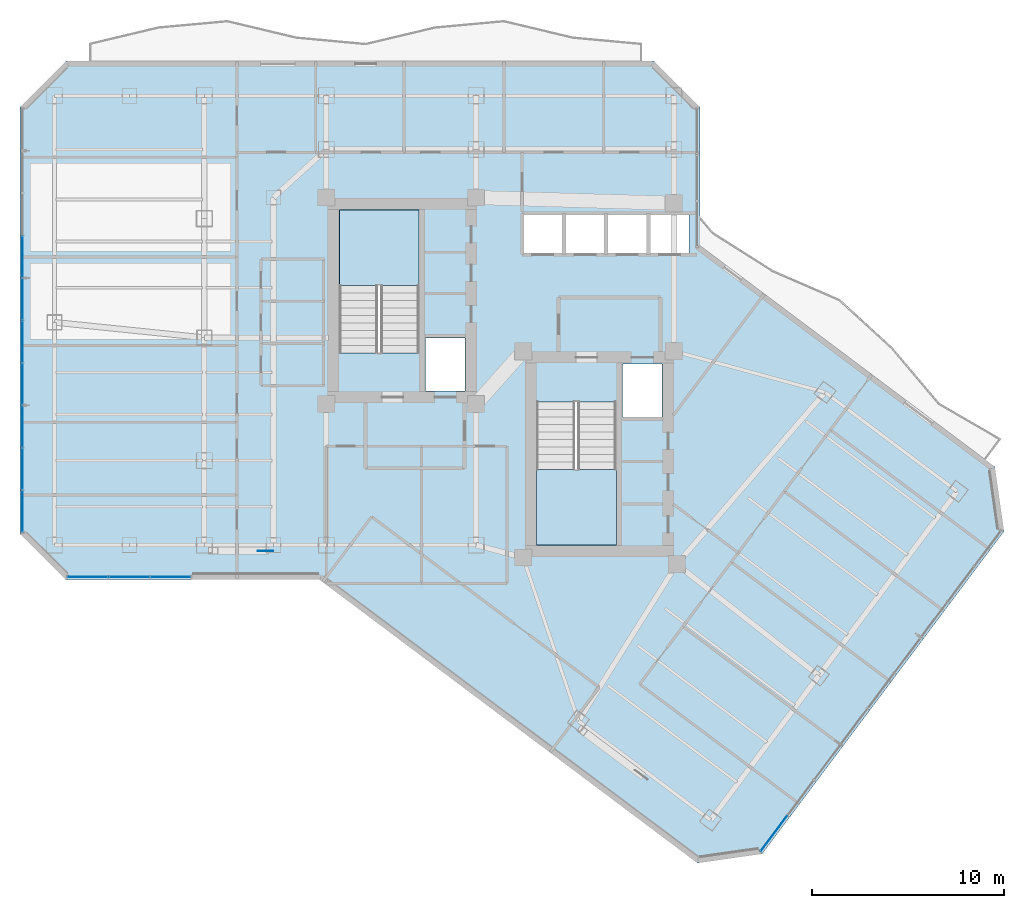
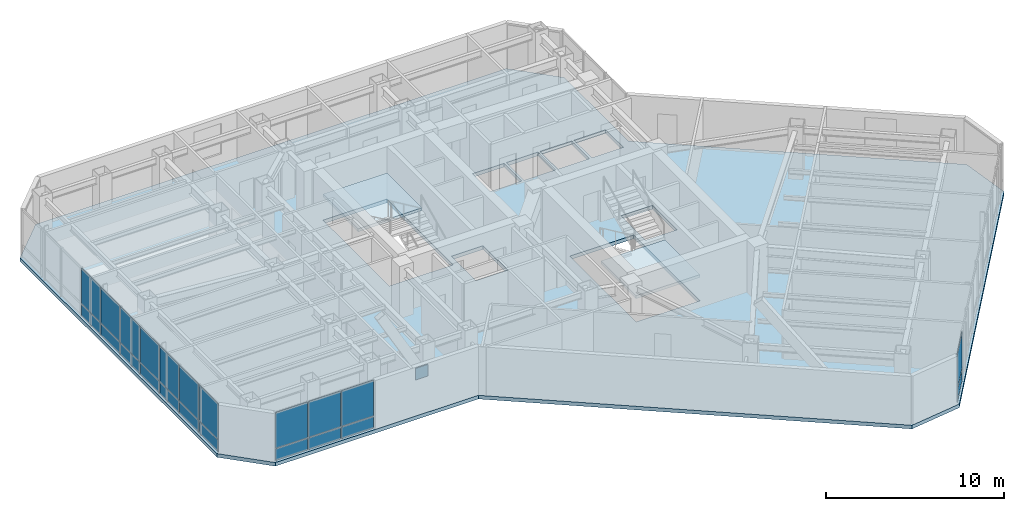
# One storey, part 20 of 29: 23 plates, 3 slabs, 5 elements without a shape of their own.
"""IFC4 building model written with IfcOpenShell, lengths in metres."""

import ifcopenshell
import ifcopenshell.guid

model = None  # the IFC model being written
_history = None  # IfcOwnerHistory: only IFC2X3 demands one
_inside = {}  # id of a spatial element -> (the spatial element, [elements in it])
_under = {}  # id of a project, library or spatial element -> (it, [spatial elements below it])
_declared = {}  # id of a project -> (the project, [libraries it declares])
_typed = {}  # id of a type object -> (the type object, [elements of that type])
_made_of = {}  # id of a material, layer set ... -> (it, [elements and type objects made of it])


def new_model(schema):
    """Start an empty IFC model of exactly this schema.

    Asked for "IFC4X3", IfcOpenShell would pick the latest addendum, in which some entities
    have other attributes; the version numbers below select the first issue.
    IFC2X3 requires an IfcOwnerHistory on every rooted entity: one is made here for all.
    """
    global model, _history
    if schema == "IFC4X3":
        model = ifcopenshell.file(schema_version=(4, 3, 0, 0))
    else:
        model = ifcopenshell.file(schema=schema)
    _inside.clear()
    _under.clear()
    _declared.clear()
    _typed.clear()
    _made_of.clear()
    _history = None
    if model.schema == "IFC2X3":
        org = make("IfcOrganization", Name="unknown")
        user = make(
            "IfcPersonAndOrganization",
            ThePerson=make("IfcPerson", FamilyName="unknown"),
            TheOrganization=org,
        )
        app = make(
            "IfcApplication",
            ApplicationDeveloper=org,
            Version="unknown",
            ApplicationFullName="unknown",
            ApplicationIdentifier="unknown",
        )
        _history = make(
            "IfcOwnerHistory",
            OwningUser=user,
            OwningApplication=app,
            ChangeAction="ADDED",
            CreationDate=0,
        )
    return model


def make(cls, **values):
    """One entity of the class cls with the attributes given. An attribute that is None is left unset."""
    return model.create_entity(
        cls, **{name: value for name, value in values.items() if value is not None}
    )


def rooted(cls, **values):
    """An entity with a GlobalId (a new one), such as an element, a storey or a relation."""
    return make(cls, GlobalId=ifcopenshell.guid.new(), OwnerHistory=_history, **values)


def si_unit(unit_type, name, prefix=None):
    """IfcSIUnit, for example si_unit("LENGTHUNIT", "METRE", prefix="MILLI")."""
    return make("IfcSIUnit", UnitType=unit_type, Prefix=prefix, Name=name)


def assignment(units):
    """IfcUnitAssignment: the units of a project."""
    return None if units is None else make("IfcUnitAssignment", Units=units)


def point(xyz):
    """IfcCartesianPoint."""
    return None if xyz is None else make("IfcCartesianPoint", Coordinates=xyz)


def direction(xyz):
    """IfcDirection."""
    return None if xyz is None else make("IfcDirection", DirectionRatios=xyz)


def frame(location, z_axis=None, x_axis=None):
    """IfcAxis2Placement3D, a coordinate frame: its origin and axes. An axis left out is left unset."""
    return make(
        "IfcAxis2Placement3D",
        Location=point(location),
        Axis=direction(z_axis),
        RefDirection=direction(x_axis),
    )


def frame_2d(location, x_axis=None):
    """IfcAxis2Placement2D, a coordinate frame in the plane: its origin and x axis."""
    return make(
        "IfcAxis2Placement2D", Location=point(location), RefDirection=direction(x_axis)
    )


def origin():
    """The frame at (0, 0, 0) with its axes left unset."""
    return frame((0.0, 0.0, 0.0))


def origin_2d():
    """The frame at (0, 0) in the plane with its x axis left unset."""
    return frame_2d((0.0, 0.0))


def place(relative_to, where):
    """IfcLocalPlacement: puts the frame where relative to a parent placement (None: the world)."""
    return make(
        "IfcLocalPlacement", PlacementRelTo=relative_to, RelativePlacement=where
    )


def context(
    kind, dimensions, precision=None, world=None, true_north=None, identifier=None
):
    """IfcGeometricRepresentationContext, for example the 3D "Model" context."""
    return make(
        "IfcGeometricRepresentationContext",
        ContextIdentifier=identifier,
        ContextType=kind,
        CoordinateSpaceDimension=dimensions,
        Precision=precision,
        WorldCoordinateSystem=world,
        TrueNorth=true_north,
    )


def subcontext(parent, identifier, kind, view, scale=None):
    """IfcGeometricRepresentationSubContext, for example "Body" below "Model"."""
    return make(
        "IfcGeometricRepresentationSubContext",
        ContextIdentifier=identifier,
        ContextType=kind,
        ParentContext=parent,
        TargetScale=scale,
        TargetView=view,
    )


def project(units=None, contexts=None):
    """IfcProject with its units and contexts."""
    return rooted(
        "IfcProject",
        Name="project",
        RepresentationContexts=contexts,
        UnitsInContext=assignment(units),
    )


def spatial(cls, under=None, at=None, **own):
    """A site, building, storey or space (cls), placed at a placement, below another one or the project."""
    s = rooted(cls, ObjectPlacement=at, **own)
    if under is not None:
        _under.setdefault(under.id(), (under, []))[1].append(s)
    return s


def polyline(points):
    """IfcPolyline through the points."""
    return make("IfcPolyline", Points=[point(p) for p in points])


def profile(cls, at=None, kind="AREA", **sizes):
    """A parametric profile (cls). Its sizes go by their IFC names, for example OverallWidth=200.0."""
    return make(cls, ProfileType=kind, Position=at, **sizes)


def rectangle(**sizes):
    """IfcRectangleProfileDef."""
    return profile("IfcRectangleProfileDef", **sizes)


def outline(outer, holes=None, kind="AREA"):
    """IfcArbitraryClosedProfileDef: a profile drawn as a closed curve; with holes, ...WithVoids."""
    if holes is None:
        return make("IfcArbitraryClosedProfileDef", ProfileType=kind, OuterCurve=outer)
    return make(
        "IfcArbitraryProfileDefWithVoids",
        ProfileType=kind,
        OuterCurve=outer,
        InnerCurves=holes,
    )


def extrude(swept, where, along, depth):
    """IfcExtrudedAreaSolid: the profile swept, set in the frame where, extruded along a direction by depth."""
    return make(
        "IfcExtrudedAreaSolid",
        SweptArea=swept,
        Position=where,
        ExtrudedDirection=direction(along),
        Depth=depth,
    )


def shape(context_of_items, identifier, shape_type, items):
    """IfcShapeRepresentation: the items that make up one representation, for example the "Body"."""
    return make(
        "IfcShapeRepresentation",
        ContextOfItems=context_of_items,
        RepresentationIdentifier=identifier,
        RepresentationType=shape_type,
        Items=items,
    )


def material(Name=None, Category=None):
    """IfcMaterial."""
    return make("IfcMaterial", Name=Name, Category=Category)


def layer(
    of_material, thickness, ventilated=None, Name=None, Category=None, Priority=None
):
    """IfcMaterialLayer: one layer of a wall or slab, of a material (None: an air gap)."""
    return make(
        "IfcMaterialLayer",
        Material=of_material,
        LayerThickness=thickness,
        IsVentilated=ventilated,
        Name=Name,
        Category=Category,
        Priority=Priority,
    )


def layer_set(layers, Name=None):
    """IfcMaterialLayerSet."""
    return make("IfcMaterialLayerSet", MaterialLayers=layers, LayerSetName=Name)


def made_of(thing, what):
    """Note that an element or type object is made of a material, layer set ...; save() writes the relation."""
    if what is not None:
        _made_of.setdefault(what.id(), (what, []))[1].append(thing)
    return thing


def type_object(cls, material=None, **own):
    """A type object (cls), such as IfcWallType, which elements share."""
    return made_of(rooted(cls, **own), material)


def element(
    cls,
    number,
    at=None,
    inside=None,
    cuts=None,
    type_object=None,
    material=None,
    context=None,
    identifier="Body",
    shape_type=None,
    held_by="IfcProductDefinitionShape",
    body=None,
    shapes=None,
    **own,
):
    """One element of the class cls, such as IfcWall. Its Tag is "e" and its number.

    at: its placement. inside: the storey or other place that contains it. cuts: it is an
    opening in that element (IfcRelVoidsElement). A single representation is given by context,
    identifier, shape_type and body (its items); several are given by shapes. held_by: the class
    of the entity that holds the representations. save() writes the other relations.
    """
    e = rooted(cls, Tag="e%d" % number, ObjectPlacement=at, **own)
    if body is not None:
        shapes = [shape(context, identifier, shape_type, body)]
    if shapes is not None:
        e.Representation = make(held_by, Representations=shapes)
    if inside is not None:
        _inside.setdefault(inside.id(), (inside, []))[1].append(e)
    if cuts is not None:
        rooted(
            "IfcRelVoidsElement", RelatingBuildingElement=cuts, RelatedOpeningElement=e
        )
    if type_object is not None:
        _typed.setdefault(type_object.id(), (type_object, []))[1].append(e)
    return made_of(e, material)


def aggregate(whole, parts):
    """IfcRelAggregates: a whole, such as a stair, and the parts it consists of."""
    return rooted("IfcRelAggregates", RelatingObject=whole, RelatedObjects=parts)


def save(model, path):
    """Write the relations noted so far, then the file.

    IfcRelAggregates (storeys below a building ...), IfcRelContainedInSpatialStructure (elements
    in a storey), IfcRelDefinesByType, IfcRelAssociatesMaterial and IfcRelDeclares: one each for
    every whole, place, type object, material and project.
    """
    for whole, parts in _under.values():
        aggregate(whole, parts)
    for where, things in _inside.values():
        rooted(
            "IfcRelContainedInSpatialStructure",
            RelatedElements=things,
            RelatingStructure=where,
        )
    for kind, things in _typed.values():
        rooted("IfcRelDefinesByType", RelatedObjects=things, RelatingType=kind)
    for what, things in _made_of.values():
        rooted("IfcRelAssociatesMaterial", RelatedObjects=things, RelatingMaterial=what)
    for by, libraries in _declared.values():
        rooted("IfcRelDeclares", RelatingContext=by, RelatedDefinitions=libraries)
    model.write(path)


model = new_model("IFC4")

# Units and contexts
model_context = context("Model", 3, precision=1e-05, world=origin(), true_north=direction((0.0, 1.0)))
body_context = subcontext(model_context, "Body", "Model", "MODEL_VIEW")
ifc_project = project(units=[si_unit("LENGTHUNIT", "METRE"), si_unit("AREAUNIT", "SQUARE_METRE"), si_unit("VOLUMEUNIT", "CUBIC_METRE"), si_unit("PLANEANGLEUNIT", "RADIAN"), si_unit("MASSUNIT", "GRAM", prefix="KILO")], contexts=[model_context])

# Site, building, storey
site_placement = place(None, origin())
site = spatial("IfcSite", under=ifc_project, at=site_placement, CompositionType="ELEMENT")
building_placement = place(site_placement, origin())
building = spatial("IfcBuilding", under=site, at=building_placement, Name="Hatsunagi Terrace Concourse", CompositionType="ELEMENT")
storey_placement = place(building_placement, frame((0.0, 0.0, 149.25)))
storey = spatial("IfcBuildingStorey", under=building, at=storey_placement, Name="L39", CompositionType="ELEMENT", Elevation=149.25)

# Curtain wall, plate
ifc_material_1 = material(Name="Anodised Aluminium Alloy 6063-T5", Category="aluminium")
ifc_layer_1 = layer(ifc_material_1, 0.199951171875)
ifc_layer_set_1 = layer_set([ifc_layer_1], Name="OfficeZone1_CW03")
curtain_wall_type = type_object("IfcCurtainWallType", Name="OfficeZone1_CW03", PredefinedType="NOTDEFINED", material=ifc_layer_set_1)
curtain_wall_1_placement = place(storey_placement, origin())
curtain_wall_1 = element("IfcCurtainWall", 1, at=curtain_wall_1_placement, inside=storey, type_object=curtain_wall_type, Name="Unitised Curtain Wall CW-03 CW-L39-03", PredefinedType="NOTDEFINED")
ifc_material_2 = material(Name="Warm Terracotta Ceramic Spandrel Panel", Category="masonry")
ifc_layer_2 = layer(ifc_material_2, 0.031982421875)
ifc_layer_set_2 = layer_set([ifc_layer_2], Name="CurtainWallSpandrelPanel_32")
plate_type_1 = type_object("IfcPlateType", Name="CurtainWallSpandrelPanel_32", PredefinedType="SHEET", material=ifc_layer_set_2)
plate_1_placement = place(storey_placement, frame((48.85888671875, 10.177978515625, 0.030029296875), z_axis=(0.0, 0.0, 1.0), x_axis=(-0.599969314634, -0.800023013105, 0.0)))
plate_1 = element("IfcPlate", 2, at=plate_1_placement, type_object=plate_type_1, Name="Terracotta Spandrel Panel SPN-01", PredefinedType="SHEET", context=body_context, shape_type="SweptSolid", body=[
    extrude(rectangle(XDim=2.264892578125, YDim=0.031982421875, at=origin_2d()), origin(), (0.0, 0.0, 1.0), 0.7900390625),
])

# Curtain wall, plates
curtain_wall_2_placement = place(storey_placement, origin())
curtain_wall_2 = element("IfcCurtainWall", 3, at=curtain_wall_2_placement, inside=storey, type_object=curtain_wall_type, Name="Unitised Curtain Wall CW-03 CW-L39-07", PredefinedType="NOTDEFINED")
plate_2_placement = place(storey_placement, frame((17.426025390625, 23.5400390625, 0.030029296875), z_axis=(0.0, 0.0, 1.0), x_axis=(-1.0, 0.0, 0.0)))
plate_2 = element("IfcPlate", 4, at=plate_2_placement, type_object=plate_type_1, Name="Terracotta Spandrel Panel SPN-01", PredefinedType="SHEET", context=body_context, shape_type="SweptSolid", body=[
    extrude(rectangle(XDim=2.092041015625, YDim=0.031982421875, at=origin_2d()), origin(), (0.0, 0.0, 1.0), 0.7900390625),
])
plate_3_placement = place(storey_placement, frame((15.279052734375, 23.5400390625, 0.030029296875), z_axis=(0.0, 0.0, 1.0), x_axis=(-1.0, 0.0, 0.0)))
plate_3 = element("IfcPlate", 5, at=plate_3_placement, type_object=plate_type_1, Name="Terracotta Spandrel Panel SPN-01", PredefinedType="SHEET", context=body_context, shape_type="SweptSolid", body=[
    extrude(rectangle(XDim=2.092041015625, YDim=0.031982421875, at=origin_2d()), origin(), (0.0, 0.0, 1.0), 0.7900390625),
])
plate_4_placement = place(storey_placement, frame((13.132080078125, 23.5400390625, 0.030029296875), z_axis=(0.0, 0.0, 1.0), x_axis=(-1.0, 0.0, 0.0)))
plate_4 = element("IfcPlate", 6, at=plate_4_placement, type_object=plate_type_1, Name="Terracotta Spandrel Panel SPN-01", PredefinedType="SHEET", context=body_context, shape_type="SweptSolid", body=[
    extrude(rectangle(XDim=2.092041015625, YDim=0.031982421875, at=origin_2d()), origin(), (0.0, 0.0, 1.0), 0.7900390625),
])

curtain_wall_3_placement = place(storey_placement, origin())
curtain_wall_3 = element("IfcCurtainWall", 7, at=curtain_wall_3_placement, inside=storey, type_object=curtain_wall_type, Name="Unitised Curtain Wall CW-03 CW-L39-09", PredefinedType="NOTDEFINED")
plate_5_placement = place(storey_placement, frame((9.739990234375, 26.9619140625, 0.030029296875), z_axis=(0.0, 0.0, 1.0), x_axis=(0.0, 1.0, 0.0)))
plate_5 = element("IfcPlate", 8, at=plate_5_placement, type_object=plate_type_1, Name="Terracotta Spandrel Panel SPN-01", PredefinedType="SHEET", context=body_context, shape_type="SweptSolid", body=[
    extrude(rectangle(XDim=2.153076171875, YDim=0.031982421875, at=origin_2d()), origin(), (0.0, 0.0, 1.0), 0.7900390625),
])
plate_6_placement = place(storey_placement, frame((9.739990234375, 29.1708984375, 0.030029296875), z_axis=(0.0, 0.0, 1.0), x_axis=(0.0, 1.0, 0.0)))
plate_6 = element("IfcPlate", 9, at=plate_6_placement, type_object=plate_type_1, Name="Terracotta Spandrel Panel SPN-01", PredefinedType="SHEET", context=body_context, shape_type="SweptSolid", body=[
    extrude(rectangle(XDim=2.153076171875, YDim=0.031982421875, at=origin_2d()), origin(), (0.0, 0.0, 1.0), 0.7900390625),
])
plate_7_placement = place(storey_placement, frame((9.739990234375, 31.37890625, 0.030029296875), z_axis=(0.0, 0.0, 1.0), x_axis=(0.0, 1.0, 0.0)))
plate_7 = element("IfcPlate", 10, at=plate_7_placement, type_object=plate_type_1, Name="Terracotta Spandrel Panel SPN-01", PredefinedType="SHEET", context=body_context, shape_type="SweptSolid", body=[
    extrude(rectangle(XDim=2.153076171875, YDim=0.031982421875, at=origin_2d()), origin(), (0.0, 0.0, 1.0), 0.7900390625),
])
plate_8_placement = place(storey_placement, frame((9.739990234375, 33.5869140625, 0.030029296875), z_axis=(0.0, 0.0, 1.0), x_axis=(0.0, 1.0, 0.0)))
plate_8 = element("IfcPlate", 11, at=plate_8_placement, type_object=plate_type_1, Name="Terracotta Spandrel Panel SPN-01", PredefinedType="SHEET", context=body_context, shape_type="SweptSolid", body=[
    extrude(rectangle(XDim=2.153076171875, YDim=0.031982421875, at=origin_2d()), origin(), (0.0, 0.0, 1.0), 0.7900390625),
])
plate_9_placement = place(storey_placement, frame((9.739990234375, 35.7958984375, 0.030029296875), z_axis=(0.0, 0.0, 1.0), x_axis=(0.0, 1.0, 0.0)))
plate_9 = element("IfcPlate", 12, at=plate_9_placement, type_object=plate_type_1, Name="Terracotta Spandrel Panel SPN-01", PredefinedType="SHEET", context=body_context, shape_type="SweptSolid", body=[
    extrude(rectangle(XDim=2.153076171875, YDim=0.031982421875, at=origin_2d()), origin(), (0.0, 0.0, 1.0), 0.7900390625),
])
plate_10_placement = place(storey_placement, frame((9.739990234375, 38.00390625, 0.030029296875), z_axis=(0.0, 0.0, 1.0), x_axis=(0.0, 1.0, 0.0)))
plate_10 = element("IfcPlate", 13, at=plate_10_placement, type_object=plate_type_1, Name="Terracotta Spandrel Panel SPN-01", PredefinedType="SHEET", context=body_context, shape_type="SweptSolid", body=[
    extrude(rectangle(XDim=2.153076171875, YDim=0.031982421875, at=origin_2d()), origin(), (0.0, 0.0, 1.0), 0.7900390625),
])
plate_11_placement = place(storey_placement, frame((9.739990234375, 40.212890625, 0.030029296875), z_axis=(0.0, 0.0, 1.0), x_axis=(0.0, 1.0, 0.0)))
plate_11 = element("IfcPlate", 14, at=plate_11_placement, type_object=plate_type_1, Name="Terracotta Spandrel Panel SPN-01", PredefinedType="SHEET", context=body_context, shape_type="SweptSolid", body=[
    extrude(rectangle(XDim=2.153076171875, YDim=0.031982421875, at=origin_2d()), origin(), (0.0, 0.0, 1.0), 0.7900390625),
])

# Plate
ifc_material_3 = material(Name="Low-E Double Insulating Glass 28mm", Category="glass")
ifc_layer_3 = layer(ifc_material_3, 0.028076171875)
ifc_layer_set_3 = layer_set([ifc_layer_3], Name="CurtainWallVisionGlass_28")
plate_type_2 = type_object("IfcPlateType", Name="CurtainWallVisionGlass_28", PredefinedType="CURTAIN_PANEL", material=ifc_layer_set_3)
plate_12_placement = place(storey_placement, frame((48.85888671875, 10.177978515625, 0.880126953125), z_axis=(0.0, 0.0, 1.0), x_axis=(-0.599969314634, -0.800023013105, 0.0)))
plate_12 = element("IfcPlate", 15, at=plate_12_placement, type_object=plate_type_2, Name="Low-E Vision Glass Panel GLZ-01", PredefinedType="CURTAIN_PANEL", context=body_context, shape_type="SweptSolid", body=[
    extrude(rectangle(XDim=2.264892578125, YDim=0.028076171875, at=origin_2d()), origin(), (0.0, 0.0, 1.0), 2.43994140625),
])

aggregate(curtain_wall_1, [plate_1, plate_12])

plate_13_placement = place(storey_placement, frame((17.426025390625, 23.5400390625, 0.880126953125), z_axis=(0.0, 0.0, 1.0), x_axis=(-1.0, 0.0, 0.0)))
plate_13 = element("IfcPlate", 16, at=plate_13_placement, type_object=plate_type_2, Name="Low-E Vision Glass Panel GLZ-01", PredefinedType="CURTAIN_PANEL", context=body_context, shape_type="SweptSolid", body=[
    extrude(rectangle(XDim=2.092041015625, YDim=0.028076171875, at=origin_2d()), origin(), (0.0, 0.0, 1.0), 2.43994140625),
])

plate_14_placement = place(storey_placement, frame((15.279052734375, 23.5400390625, 0.880126953125), z_axis=(0.0, 0.0, 1.0), x_axis=(-1.0, 0.0, 0.0)))
plate_14 = element("IfcPlate", 17, at=plate_14_placement, type_object=plate_type_2, Name="Low-E Vision Glass Panel GLZ-01", PredefinedType="CURTAIN_PANEL", context=body_context, shape_type="SweptSolid", body=[
    extrude(rectangle(XDim=2.092041015625, YDim=0.028076171875, at=origin_2d()), origin(), (0.0, 0.0, 1.0), 2.43994140625),
])

plate_15_placement = place(storey_placement, frame((13.132080078125, 23.5400390625, 0.880126953125), z_axis=(0.0, 0.0, 1.0), x_axis=(-1.0, 0.0, 0.0)))
plate_15 = element("IfcPlate", 18, at=plate_15_placement, type_object=plate_type_2, Name="Low-E Vision Glass Panel GLZ-01", PredefinedType="CURTAIN_PANEL", context=body_context, shape_type="SweptSolid", body=[
    extrude(rectangle(XDim=2.092041015625, YDim=0.028076171875, at=origin_2d()), origin(), (0.0, 0.0, 1.0), 2.43994140625),
])

aggregate(curtain_wall_2, [plate_2, plate_13, plate_3, plate_14, plate_4, plate_15])

plate_16_placement = place(storey_placement, frame((9.739990234375, 26.9619140625, 0.880126953125), z_axis=(0.0, 0.0, 1.0), x_axis=(0.0, 1.0, 0.0)))
plate_16 = element("IfcPlate", 19, at=plate_16_placement, type_object=plate_type_2, Name="Low-E Vision Glass Panel GLZ-01", PredefinedType="CURTAIN_PANEL", context=body_context, shape_type="SweptSolid", body=[
    extrude(rectangle(XDim=2.153076171875, YDim=0.028076171875, at=origin_2d()), origin(), (0.0, 0.0, 1.0), 2.43994140625),
])

plate_17_placement = place(storey_placement, frame((9.739990234375, 29.1708984375, 0.880126953125), z_axis=(0.0, 0.0, 1.0), x_axis=(0.0, 1.0, 0.0)))
plate_17 = element("IfcPlate", 20, at=plate_17_placement, type_object=plate_type_2, Name="Low-E Vision Glass Panel GLZ-01", PredefinedType="CURTAIN_PANEL", context=body_context, shape_type="SweptSolid", body=[
    extrude(rectangle(XDim=2.153076171875, YDim=0.028076171875, at=origin_2d()), origin(), (0.0, 0.0, 1.0), 2.43994140625),
])

plate_18_placement = place(storey_placement, frame((9.739990234375, 31.37890625, 0.880126953125), z_axis=(0.0, 0.0, 1.0), x_axis=(0.0, 1.0, 0.0)))
plate_18 = element("IfcPlate", 21, at=plate_18_placement, type_object=plate_type_2, Name="Low-E Vision Glass Panel GLZ-01", PredefinedType="CURTAIN_PANEL", context=body_context, shape_type="SweptSolid", body=[
    extrude(rectangle(XDim=2.153076171875, YDim=0.028076171875, at=origin_2d()), origin(), (0.0, 0.0, 1.0), 2.43994140625),
])

plate_19_placement = place(storey_placement, frame((9.739990234375, 33.5869140625, 0.880126953125), z_axis=(0.0, 0.0, 1.0), x_axis=(0.0, 1.0, 0.0)))
plate_19 = element("IfcPlate", 22, at=plate_19_placement, type_object=plate_type_2, Name="Low-E Vision Glass Panel GLZ-01", PredefinedType="CURTAIN_PANEL", context=body_context, shape_type="SweptSolid", body=[
    extrude(rectangle(XDim=2.153076171875, YDim=0.028076171875, at=origin_2d()), origin(), (0.0, 0.0, 1.0), 2.43994140625),
])

plate_20_placement = place(storey_placement, frame((9.739990234375, 35.7958984375, 0.880126953125), z_axis=(0.0, 0.0, 1.0), x_axis=(0.0, 1.0, 0.0)))
plate_20 = element("IfcPlate", 23, at=plate_20_placement, type_object=plate_type_2, Name="Low-E Vision Glass Panel GLZ-01", PredefinedType="CURTAIN_PANEL", context=body_context, shape_type="SweptSolid", body=[
    extrude(rectangle(XDim=2.153076171875, YDim=0.028076171875, at=origin_2d()), origin(), (0.0, 0.0, 1.0), 2.43994140625),
])

plate_21_placement = place(storey_placement, frame((9.739990234375, 38.00390625, 0.880126953125), z_axis=(0.0, 0.0, 1.0), x_axis=(0.0, 1.0, 0.0)))
plate_21 = element("IfcPlate", 24, at=plate_21_placement, type_object=plate_type_2, Name="Low-E Vision Glass Panel GLZ-01", PredefinedType="CURTAIN_PANEL", context=body_context, shape_type="SweptSolid", body=[
    extrude(rectangle(XDim=2.153076171875, YDim=0.028076171875, at=origin_2d()), origin(), (0.0, 0.0, 1.0), 2.43994140625),
])

plate_22_placement = place(storey_placement, frame((9.739990234375, 40.212890625, 0.880126953125), z_axis=(0.0, 0.0, 1.0), x_axis=(0.0, 1.0, 0.0)))
plate_22 = element("IfcPlate", 25, at=plate_22_placement, type_object=plate_type_2, Name="Low-E Vision Glass Panel GLZ-01", PredefinedType="CURTAIN_PANEL", context=body_context, shape_type="SweptSolid", body=[
    extrude(rectangle(XDim=2.153076171875, YDim=0.028076171875, at=origin_2d()), origin(), (0.0, 0.0, 1.0), 2.43994140625),
])

aggregate(curtain_wall_3, [plate_5, plate_16, plate_6, plate_17, plate_7, plate_18, plate_8, plate_19, plate_9, plate_20, plate_10, plate_21, plate_11, plate_22])

# Stair, slab
ifc_material_4 = material(Name="Concrete Fc42", Category="concrete")
stair_type = type_object("IfcStairType", Name="DoglegExitStair_Tower2000_20R_180", PredefinedType="HALF_TURN_STAIR", material=ifc_material_4)
stair_1_placement = place(storey_placement, origin())
stair_1 = element("IfcStair", 26, at=stair_1_placement, inside=storey, type_object=stair_type, Name="L39 Core A Protected Exit Stair ST-A", PredefinedType="HALF_TURN_STAIR")
ifc_material_5 = material(Name="Concrete Fc42", Category="concrete")
ifc_layer_4 = layer(ifc_material_5, 0.199951171875)
ifc_layer_set_4 = layer_set([ifc_layer_4], Name="DoglegStairLanding_Tower2000")
slab_type_1 = type_object("IfcSlabType", Name="DoglegStairLanding_Tower2000", PredefinedType="LANDING", material=ifc_layer_set_4)
slab_1_placement = place(storey_placement, frame((0.0, 0.0, 1.60009765625)))
slab_1 = element("IfcSlab", 27, at=slab_1_placement, type_object=slab_type_1, Name="ST-A landing 1", PredefinedType="LANDING", context=body_context, shape_type="SweptSolid", body=[
    extrude(outline(polyline([(30.3798828125, 38.7099609375), (30.3798828125, 42.659912109375), (26.22998046875, 42.659912109375), (26.22998046875, 38.7099609375), (30.3798828125, 38.7099609375)])), origin(), (0.0, 0.0, 1.0), 0.199951171875),
])
aggregate(stair_1, [slab_1])

stair_2_placement = place(storey_placement, origin())
stair_2 = element("IfcStair", 28, at=stair_2_placement, inside=storey, type_object=stair_type, Name="L39 Core B Protected Exit Stair ST-B", PredefinedType="HALF_TURN_STAIR")
slab_2_placement = place(storey_placement, frame((0.0, 0.0, 1.60009765625)))
slab_2 = element("IfcSlab", 29, at=slab_2_placement, type_object=slab_type_1, Name="ST-B landing 1", PredefinedType="LANDING", context=body_context, shape_type="SweptSolid", body=[
    extrude(outline(polyline([(36.5, 29.14990234375), (36.5, 25.199951171875), (40.64990234375, 25.199951171875), (40.64990234375, 29.14990234375), (36.5, 29.14990234375)])), origin(), (0.0, 0.0, 1.0), 0.199951171875),
])
aggregate(stair_2, [slab_2])

# Slab
ifc_material_6 = material(Name="Concrete Fc42", Category="concrete")
ifc_layer_5 = layer(ifc_material_6, 0.25)
ifc_layer_set_5 = layer_set([ifc_layer_5], Name="OfficeCrownSlab_Fc42_250")
slab_type_2 = type_object("IfcSlabType", Name="OfficeCrownSlab_Fc42_250", PredefinedType="FLOOR", material=ifc_layer_set_5)
slab_3_placement = place(storey_placement, frame((0.0, 0.0, -0.25)))
element("IfcSlab", 30, at=slab_3_placement, inside=storey, type_object=slab_type_2, Name="Floor Slab SL-250 L39", PredefinedType="FLOOR", context=body_context, shape_type="SweptSolid", body=[
    extrude(outline(polyline([(45.0, 40.800048828125), (45.0, 48.0), (42.60009765625, 50.39990234375), (12.0, 50.39990234375), (9.60009765625, 48.0), (9.60009765625, 25.800048828125), (12.0, 23.39990234375), (25.199951171875, 23.39990234375), (44.8798828125, 8.639892578125), (48.239990234375, 9.1201171875), (60.840087890625, 25.919921875), (60.360107421875, 29.280029296875), (45.0, 40.800048828125)]), holes=[polyline([(26.22998046875, 35.205078125), (30.3798828125, 35.205078125), (30.3798828125, 42.659912109375), (26.22998046875, 42.659912109375), (26.22998046875, 35.205078125)]), polyline([(36.5, 25.199951171875), (40.64990234375, 25.199951171875), (40.64990234375, 32.655029296875), (36.5, 32.655029296875), (36.5, 25.199951171875)]), polyline([(30.719970703125, 33.219970703125), (32.780029296875, 33.219970703125), (32.780029296875, 35.97998046875), (30.719970703125, 35.97998046875), (30.719970703125, 33.219970703125)]), polyline([(40.97998046875, 31.8798828125), (43.02001953125, 31.8798828125), (43.02001953125, 34.639892578125), (40.97998046875, 34.639892578125), (40.97998046875, 31.8798828125)]), polyline([(35.800048828125, 40.39990234375), (37.85009765625, 40.39990234375), (37.85009765625, 42.39990234375), (35.800048828125, 42.39990234375), (35.800048828125, 40.39990234375)]), polyline([(38.0, 40.39990234375), (40.050048828125, 40.39990234375), (40.050048828125, 42.39990234375), (38.0, 42.39990234375), (38.0, 40.39990234375)]), polyline([(40.199951171875, 40.39990234375), (42.25, 40.39990234375), (42.25, 42.39990234375), (40.199951171875, 42.39990234375), (40.199951171875, 40.39990234375)]), polyline([(42.39990234375, 40.39990234375), (44.449951171875, 40.39990234375), (44.449951171875, 42.39990234375), (42.39990234375, 42.39990234375), (42.39990234375, 40.39990234375)])]), origin(), (0.0, 0.0, 1.0), 0.25),
])

# Plate
ifc_material_7 = material(Name="Steel SN490C", Category="steel")
ifc_layer_6 = layer(ifc_material_7, 0.031982421875)
ifc_layer_set_6 = layer_set([ifc_layer_6], Name="XBraceNodeCapPlate_32")
plate_type_3 = type_object("IfcPlateType", Name="XBraceNodeCapPlate_32", PredefinedType="USERDEFINED", material=ifc_layer_set_6)
plate_23_placement = place(storey_placement, frame((22.375, 24.89990234375, 1.27490234375), z_axis=(0.0, 0.0, 1.0), x_axis=(1.0, 0.0, 0.0)))
element("IfcPlate", 31, at=plate_23_placement, inside=storey, type_object=plate_type_3, Name="X-Brace Crossing Gusset Node Plate GP-02 XB-L38-W1", ObjectType="GUSSET_PLATE", PredefinedType="USERDEFINED", context=body_context, shape_type="SweptSolid", body=[
    extrude(rectangle(XDim=0.800048828125, YDim=0.031982421875, at=origin_2d()), origin(), (0.0, 0.0, 1.0), 0.800048828125),
])

save(model, "model.ifc")
